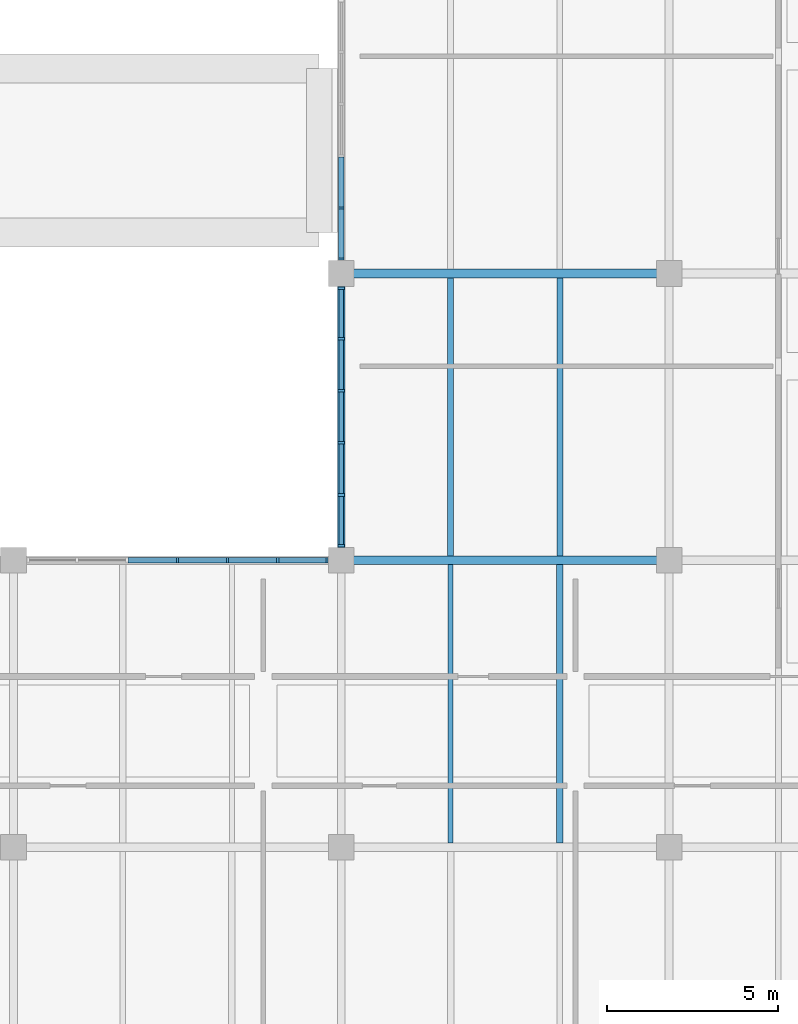
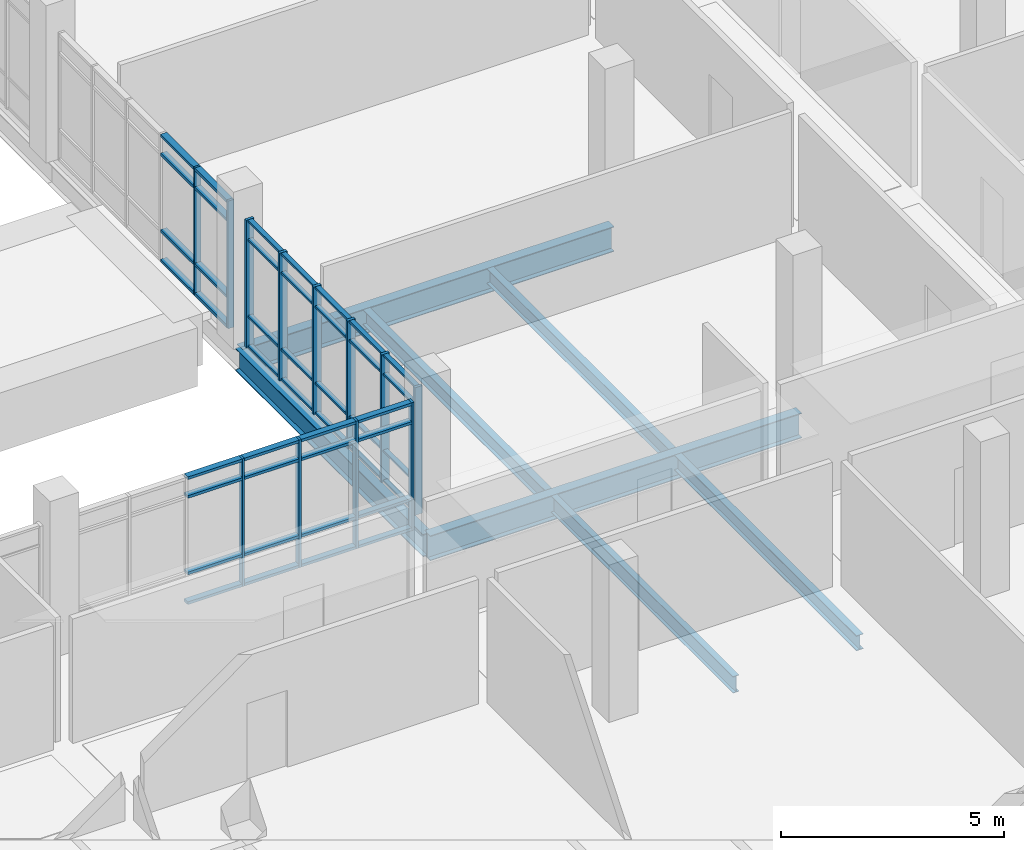
# One storey, part 21 of 86: 56 members, 7 beams, 3 elements without a shape of their own.
"""IFC4 building model written with IfcOpenShell, lengths in metres."""

from ifc_helpers import new_model, si_unit, direction, frame, origin, origin_2d, place, context, subcontext, project, spatial, rectangle, i_section, extrude, material, material_profile, profile_set, type_object, element, aggregate, save


model = new_model("IFC4")

# Units and contexts
model_context = context("Model", 3, precision=1e-05, world=origin(), true_north=direction((0.0, 1.0)))
body_context = subcontext(model_context, "Body", "Model", "MODEL_VIEW")
ifc_project = project(units=[si_unit("LENGTHUNIT", "METRE"), si_unit("AREAUNIT", "SQUARE_METRE"), si_unit("VOLUMEUNIT", "CUBIC_METRE"), si_unit("PLANEANGLEUNIT", "RADIAN"), si_unit("MASSUNIT", "GRAM", prefix="KILO")], contexts=[model_context])

# Site, building, storey
site_placement = place(None, origin())
site = spatial("IfcSite", under=ifc_project, at=site_placement, CompositionType="ELEMENT")
building_placement = place(site_placement, origin())
building = spatial("IfcBuilding", under=site, at=building_placement, Name="Oolite Switchyard Hospital", CompositionType="ELEMENT")
storey_placement = place(building_placement, frame((0.0, 0.0, 13.5)))
storey = spatial("IfcBuildingStorey", under=building, at=storey_placement, Name="L03", CompositionType="ELEMENT", Elevation=13.5)

# Beams
ifc_material_1 = material(Name="Steel ASTM A992 Grade 50", Category="steel")
ifc_material_profile_1 = material_profile(ifc_material_1, i_section(OverallWidth=0.177978515625, OverallDepth=0.403076171875, WebThickness=0.008056640625, FlangeThickness=0.010986328125, at=origin_2d()), Name="W16X36")
ifc_profile_set_1 = profile_set([ifc_material_profile_1], Name="Steel ASTM A992 Grade 50")
beam_type_1 = type_object("IfcBeamType", Name="BM-W16X36", PredefinedType="JOIST", material=ifc_profile_set_1)
beam_1_placement = place(storey_placement, frame((188.800048828125, 25.326904296875, -0.47607421875), z_axis=(0.0, 1.0, 0.0), x_axis=(-1.0, 0.0, 0.0)))
element("IfcBeam", 1, at=beam_1_placement, inside=storey, type_object=beam_type_1, Name="L03 Secondary Steel Joist 2699", PredefinedType="JOIST", context=body_context, shape_type="SweptSolid", body=[
    extrude(i_section(OverallWidth=0.177978515625, OverallDepth=0.403076171875, WebThickness=0.008056640625, FlangeThickness=0.010986328125, at=origin_2d()), origin(), (0.0, 0.0, 1.0), 8.14599609375),
])
ifc_material_profile_2 = material_profile(ifc_material_1, i_section(OverallWidth=0.179931640625, OverallDepth=0.4130859375, WebThickness=0.010009765625, FlangeThickness=0.01611328125, at=origin_2d()), Name="W16X50")
ifc_profile_set_2 = profile_set([ifc_material_profile_2], Name="Steel ASTM A992 Grade 50")
beam_type_2 = type_object("IfcBeamType", Name="BM-W16X50", PredefinedType="JOIST", material=ifc_profile_set_2)
for number, where, z_axis, x_axis, name in (
    (2, (188.800048828125, 16.927001953125, -0.48193359375), (0.0, 1.0, 0.0), (-1.0, 0.0, 0.0), "L03 Secondary Steel Joist 2697"),
    (3, (185.60009765625, 25.326904296875, -0.48193359375), (0.0, 1.0, 0.0), (-1.0, 0.0, 0.0), "L03 Secondary Steel Joist 2698"),
):
    element("IfcBeam", number, at=place(storey_placement, frame(where, z_axis=z_axis, x_axis=x_axis)), inside=storey, type_object=beam_type_2, Name=name, PredefinedType="JOIST", context=body_context, shape_type="SweptSolid", body=[
        extrude(i_section(OverallWidth=0.179931640625, OverallDepth=0.4130859375, WebThickness=0.010009765625, FlangeThickness=0.01611328125, at=origin_2d()), origin(), (0.0, 0.0, 1.0), 8.14599609375),
    ])
ifc_material_profile_3 = material_profile(ifc_material_1, i_section(OverallWidth=0.153076171875, OverallDepth=0.455078125, WebThickness=0.008056640625, FlangeThickness=0.012939453125, at=origin_2d()), Name="W18X40")
ifc_profile_set_3 = profile_set([ifc_material_profile_3], Name="Steel ASTM A992 Grade 50")
beam_type_3 = type_object("IfcBeamType", Name="BM-W18X40", PredefinedType="JOIST", material=ifc_profile_set_3)
beam_2_placement = place(storey_placement, frame((185.60009765625, 16.927001953125, -0.501953125), z_axis=(0.0, 1.0, 0.0), x_axis=(-1.0, 0.0, 0.0)))
element("IfcBeam", 4, at=beam_2_placement, inside=storey, type_object=beam_type_3, Name="L03 Secondary Steel Joist 2696", PredefinedType="JOIST", context=body_context, shape_type="SweptSolid", body=[
    extrude(i_section(OverallWidth=0.153076171875, OverallDepth=0.455078125, WebThickness=0.008056640625, FlangeThickness=0.012939453125, at=origin_2d()), origin(), (0.0, 0.0, 1.0), 8.14599609375),
])
ifc_material_profile_4 = material_profile(ifc_material_1, i_section(OverallWidth=0.22900390625, OverallDepth=0.612060546875, WebThickness=0.011962890625, FlangeThickness=0.02001953125, at=origin_2d()), Name="W24X84")
ifc_profile_set_4 = profile_set([ifc_material_profile_4], Name="Steel ASTM A992 Grade 50")
beam_type_4 = type_object("IfcBeamType", Name="BM-W24X84", PredefinedType="BEAM", material=ifc_profile_set_4)
beam_3_placement = place(storey_placement, frame((182.39990234375, 25.199951171875, -0.5810546875), z_axis=(0.0, 1.0, 0.0), x_axis=(-1.0, 0.0, 0.0)))
element("IfcBeam", 5, at=beam_3_placement, inside=storey, type_object=beam_type_4, Name="L03 Y-Girder 2350", PredefinedType="BEAM", context=body_context, shape_type="SweptSolid", body=[
    extrude(i_section(OverallWidth=0.22900390625, OverallDepth=0.612060546875, WebThickness=0.011962890625, FlangeThickness=0.02001953125, at=origin_2d()), origin(), (0.0, 0.0, 1.0), 8.400146484375),
])
ifc_material_profile_5 = material_profile(ifc_material_1, i_section(OverallWidth=0.25390625, OverallDepth=0.68408203125, WebThickness=0.011962890625, FlangeThickness=0.01904296875, at=origin_2d()), Name="W27X94")
ifc_profile_set_5 = profile_set([ifc_material_profile_5], Name="Steel ASTM A992 Grade 50")
beam_type_5 = type_object("IfcBeamType", Name="BM-W27X94", PredefinedType="BEAM", material=ifc_profile_set_5)
for number, where, z_axis, x_axis, name in (
    (6, (182.39990234375, 25.199951171875, -0.616943359375), (1.0, 0.0, 0.0), (0.0, 1.0, 0.0), "L03 X-Girder 1946"),
    (7, (182.39990234375, 33.60009765625, -0.616943359375), (1.0, 0.0, 0.0), (0.0, 1.0, 0.0), "L03 X-Girder 1956"),
):
    element("IfcBeam", number, at=place(storey_placement, frame(where, z_axis=z_axis, x_axis=x_axis)), inside=storey, type_object=beam_type_5, Name=name, PredefinedType="BEAM", context=body_context, shape_type="SweptSolid", body=[
        extrude(i_section(OverallWidth=0.25390625, OverallDepth=0.68408203125, WebThickness=0.011962890625, FlangeThickness=0.01904296875, at=origin_2d()), origin(), (0.0, 0.0, 1.0), 9.60009765625),
    ])

# Curtain wall, members
ifc_material_2 = material(Name="Thermally broken aluminum frame with laminated impact glazing", Category="aluminium")
curtain_wall_type_1 = type_object("IfcCurtainWallType", Name="CW-UNIT-96X43", PredefinedType="USERDEFINED", material=ifc_material_2)
curtain_wall_1_placement = place(storey_placement, origin())
curtain_wall_1 = element("IfcCurtainWall", 8, at=curtain_wall_1_placement, inside=storey, type_object=curtain_wall_type_1, Name="L03 Unitised Curtain Wall 333", ObjectType="UNITISED", PredefinedType="USERDEFINED")
ifc_material_3 = material(Name="Aluminium 6063-T6", Category="aluminium")
ifc_material_profile_6 = material_profile(ifc_material_3, rectangle(XDim=0.159912109375, YDim=0.06005859375, at=origin_2d()), Name="CWM60X160")
ifc_profile_set_6 = profile_set([ifc_material_profile_6], Name="Aluminium 6063-T6")
member_type_1 = type_object("IfcMemberType", Name="CW-MUL-180", PredefinedType="MULLION", material=ifc_profile_set_6)
member_1_placement = place(storey_placement, frame((177.60009765625, 25.199951171875, 0.0), z_axis=(0.0, 0.0, 1.0), x_axis=(0.0, 1.0, 0.0)))
member_1 = element("IfcMember", 9, at=member_1_placement, type_object=member_type_1, Name="CW-04 mullion 4", PredefinedType="MULLION", context=body_context, shape_type="SweptSolid", body=[
    extrude(rectangle(XDim=0.159912109375, YDim=0.06005859375, at=origin_2d()), origin(), (0.0, 0.0, 1.0), 3.489990234375),
])
member_2_placement = place(storey_placement, frame((179.070068359375, 25.199951171875, 0.0), z_axis=(0.0, 0.0, 1.0), x_axis=(0.0, 1.0, 0.0)))
member_2 = element("IfcMember", 10, at=member_2_placement, type_object=member_type_1, Name="CW-04 mullion 5", PredefinedType="MULLION", context=body_context, shape_type="SweptSolid", body=[
    extrude(rectangle(XDim=0.159912109375, YDim=0.06005859375, at=origin_2d()), origin(), (0.0, 0.0, 1.0), 3.489990234375),
])
member_3_placement = place(storey_placement, frame((180.5400390625, 25.199951171875, 0.0), z_axis=(0.0, 0.0, 1.0), x_axis=(0.0, 1.0, 0.0)))
member_3 = element("IfcMember", 11, at=member_3_placement, type_object=member_type_1, Name="CW-04 mullion 6", PredefinedType="MULLION", context=body_context, shape_type="SweptSolid", body=[
    extrude(rectangle(XDim=0.159912109375, YDim=0.06005859375, at=origin_2d()), origin(), (0.0, 0.0, 1.0), 3.489990234375),
])
member_4_placement = place(storey_placement, frame((181.97998046875, 25.199951171875, 0.0), z_axis=(0.0, 0.0, 1.0), x_axis=(0.0, 1.0, 0.0)))
member_4 = element("IfcMember", 12, at=member_4_placement, type_object=member_type_1, Name="CW-04 mullion 7", PredefinedType="MULLION", context=body_context, shape_type="SweptSolid", body=[
    extrude(rectangle(XDim=0.159912109375, YDim=0.06005859375, at=origin_2d()), origin(), (0.0, 0.0, 1.0), 3.489990234375),
])

curtain_wall_type_2 = type_object("IfcCurtainWallType", Name="CW-UNIT-84X43", PredefinedType="USERDEFINED", material=ifc_material_2)
curtain_wall_2_placement = place(storey_placement, origin())
curtain_wall_2 = element("IfcCurtainWall", 13, at=curtain_wall_2_placement, inside=storey, type_object=curtain_wall_type_2, Name="L03 Unitised Curtain Wall 345", ObjectType="UNITISED", PredefinedType="USERDEFINED")
member_5_placement = place(storey_placement, frame((182.39990234375, 34.02001953125, 0.0), z_axis=(0.0, 0.0, 1.0), x_axis=(-1.0, 0.0, 0.0)))
member_5 = element("IfcMember", 14, at=member_5_placement, type_object=member_type_1, Name="CW-09 mullion 1", PredefinedType="MULLION", context=body_context, shape_type="SweptSolid", body=[
    extrude(rectangle(XDim=0.159912109375, YDim=0.06005859375, at=origin_2d()), origin(), (0.0, 0.0, 1.0), 3.489990234375),
])
member_6_placement = place(storey_placement, frame((182.39990234375, 35.513916015625, 0.0), z_axis=(0.0, 0.0, 1.0), x_axis=(-1.0, 0.0, 0.0)))
member_6 = element("IfcMember", 15, at=member_6_placement, type_object=member_type_1, Name="CW-09 mullion 2", PredefinedType="MULLION", context=body_context, shape_type="SweptSolid", body=[
    extrude(rectangle(XDim=0.159912109375, YDim=0.06005859375, at=origin_2d()), origin(), (0.0, 0.0, 1.0), 3.489990234375),
])

curtain_wall_3_placement = place(storey_placement, origin())
curtain_wall_3 = element("IfcCurtainWall", 16, at=curtain_wall_3_placement, inside=storey, type_object=curtain_wall_type_2, Name="L03 Unitised Curtain Wall 344", ObjectType="UNITISED", PredefinedType="USERDEFINED")
ifc_material_profile_7 = material_profile(ifc_material_3, rectangle(XDim=0.199951171875, YDim=0.074951171875, at=origin_2d()), Name="CWM75X200")
ifc_profile_set_7 = profile_set([ifc_material_profile_7], Name="Aluminium 6063-T6")
member_type_2 = type_object("IfcMemberType", Name="CW-MUL-260", PredefinedType="MULLION", material=ifc_profile_set_7)
member_7_placement = place(storey_placement, frame((182.39990234375, 25.62744140625, 0.0), z_axis=(0.0, 0.0, 1.0), x_axis=(-1.0, 0.0, 0.0)))
member_7 = element("IfcMember", 17, at=member_7_placement, type_object=member_type_2, Name="CW-09 mullion 1", PredefinedType="MULLION", context=body_context, shape_type="SweptSolid", body=[
    extrude(rectangle(XDim=0.199951171875, YDim=0.074951171875, at=origin_2d()), origin(), (0.0, 0.0, 1.0), 3.489990234375),
])
member_8_placement = place(storey_placement, frame((182.39990234375, 27.114013671875, 0.0), z_axis=(0.0, 0.0, 1.0), x_axis=(-1.0, 0.0, 0.0)))
member_8 = element("IfcMember", 18, at=member_8_placement, type_object=member_type_2, Name="CW-09 mullion 2", PredefinedType="MULLION", context=body_context, shape_type="SweptSolid", body=[
    extrude(rectangle(XDim=0.199951171875, YDim=0.074951171875, at=origin_2d()), origin(), (0.0, 0.0, 1.0), 3.489990234375),
])
member_9_placement = place(storey_placement, frame((182.39990234375, 28.637939453125, 0.0), z_axis=(0.0, 0.0, 1.0), x_axis=(-1.0, 0.0, 0.0)))
member_9 = element("IfcMember", 19, at=member_9_placement, type_object=member_type_2, Name="CW-09 mullion 3", PredefinedType="MULLION", context=body_context, shape_type="SweptSolid", body=[
    extrude(rectangle(XDim=0.199951171875, YDim=0.074951171875, at=origin_2d()), origin(), (0.0, 0.0, 1.0), 3.489990234375),
])
member_10_placement = place(storey_placement, frame((182.39990234375, 30.162109375, 0.0), z_axis=(0.0, 0.0, 1.0), x_axis=(-1.0, 0.0, 0.0)))
member_10 = element("IfcMember", 20, at=member_10_placement, type_object=member_type_2, Name="CW-09 mullion 4", PredefinedType="MULLION", context=body_context, shape_type="SweptSolid", body=[
    extrude(rectangle(XDim=0.199951171875, YDim=0.074951171875, at=origin_2d()), origin(), (0.0, 0.0, 1.0), 3.489990234375),
])
member_11_placement = place(storey_placement, frame((182.39990234375, 31.68603515625, 0.0), z_axis=(0.0, 0.0, 1.0), x_axis=(-1.0, 0.0, 0.0)))
member_11 = element("IfcMember", 21, at=member_11_placement, type_object=member_type_2, Name="CW-09 mullion 5", PredefinedType="MULLION", context=body_context, shape_type="SweptSolid", body=[
    extrude(rectangle(XDim=0.199951171875, YDim=0.074951171875, at=origin_2d()), origin(), (0.0, 0.0, 1.0), 3.489990234375),
])
member_12_placement = place(storey_placement, frame((182.39990234375, 33.172607421875, 0.0), z_axis=(0.0, 0.0, 1.0), x_axis=(-1.0, 0.0, 0.0)))
member_12 = element("IfcMember", 22, at=member_12_placement, type_object=member_type_2, Name="CW-09 mullion 6", PredefinedType="MULLION", context=body_context, shape_type="SweptSolid", body=[
    extrude(rectangle(XDim=0.199951171875, YDim=0.074951171875, at=origin_2d()), origin(), (0.0, 0.0, 1.0), 3.489990234375),
])
ifc_material_profile_8 = material_profile(ifc_material_3, rectangle(XDim=0.1201171875, YDim=0.06005859375, at=origin_2d()), Name="CWT60X120")
ifc_profile_set_8 = profile_set([ifc_material_profile_8], Name="Aluminium 6063-T6")
member_type_3 = type_object("IfcMemberType", Name="CW-TRN-150", PredefinedType="USERDEFINED", material=ifc_profile_set_8)
member_13_placement = place(storey_placement, frame((182.39990234375, 25.6650390625, 0.030029296875), z_axis=(0.0, 1.0, 0.0), x_axis=(-1.0, 0.0, 0.0)))
member_13 = element("IfcMember", 23, at=member_13_placement, type_object=member_type_3, Name="CW-09 transom 1.1", ObjectType="TRANSOM", PredefinedType="USERDEFINED", context=body_context, shape_type="SweptSolid", body=[
    extrude(rectangle(XDim=0.1201171875, YDim=0.06005859375, at=origin_2d()), origin(), (0.0, 0.0, 1.0), 1.411376953125),
])
member_14_placement = place(storey_placement, frame((182.39990234375, 25.6650390625, 0.85009765625), z_axis=(0.0, 1.0, 0.0), x_axis=(-1.0, 0.0, 0.0)))
member_14 = element("IfcMember", 24, at=member_14_placement, type_object=member_type_3, Name="CW-09 transom 1.2", ObjectType="TRANSOM", PredefinedType="USERDEFINED", context=body_context, shape_type="SweptSolid", body=[
    extrude(rectangle(XDim=0.1201171875, YDim=0.06005859375, at=origin_2d()), origin(), (0.0, 0.0, 1.0), 1.411376953125),
])
member_15_placement = place(storey_placement, frame((182.39990234375, 25.6650390625, 2.93994140625), z_axis=(0.0, 1.0, 0.0), x_axis=(-1.0, 0.0, 0.0)))
member_15 = element("IfcMember", 25, at=member_15_placement, type_object=member_type_3, Name="CW-09 transom 1.3", ObjectType="TRANSOM", PredefinedType="USERDEFINED", context=body_context, shape_type="SweptSolid", body=[
    extrude(rectangle(XDim=0.1201171875, YDim=0.06005859375, at=origin_2d()), origin(), (0.0, 0.0, 1.0), 1.411376953125),
])
member_16_placement = place(storey_placement, frame((182.39990234375, 25.6650390625, 3.4599609375), z_axis=(0.0, 1.0, 0.0), x_axis=(-1.0, 0.0, 0.0)))
member_16 = element("IfcMember", 26, at=member_16_placement, type_object=member_type_3, Name="CW-09 transom 1.4", ObjectType="TRANSOM", PredefinedType="USERDEFINED", context=body_context, shape_type="SweptSolid", body=[
    extrude(rectangle(XDim=0.1201171875, YDim=0.06005859375, at=origin_2d()), origin(), (0.0, 0.0, 1.0), 1.411376953125),
])
member_17_placement = place(storey_placement, frame((182.39990234375, 27.151611328125, 0.030029296875), z_axis=(0.0, 1.0, 0.0), x_axis=(-1.0, 0.0, 0.0)))
member_17 = element("IfcMember", 27, at=member_17_placement, type_object=member_type_3, Name="CW-09 transom 2.1", ObjectType="TRANSOM", PredefinedType="USERDEFINED", context=body_context, shape_type="SweptSolid", body=[
    extrude(rectangle(XDim=0.1201171875, YDim=0.06005859375, at=origin_2d()), origin(), (0.0, 0.0, 1.0), 1.448974609375),
])
member_18_placement = place(storey_placement, frame((182.39990234375, 27.151611328125, 0.85009765625), z_axis=(0.0, 1.0, 0.0), x_axis=(-1.0, 0.0, 0.0)))
member_18 = element("IfcMember", 28, at=member_18_placement, type_object=member_type_3, Name="CW-09 transom 2.2", ObjectType="TRANSOM", PredefinedType="USERDEFINED", context=body_context, shape_type="SweptSolid", body=[
    extrude(rectangle(XDim=0.1201171875, YDim=0.06005859375, at=origin_2d()), origin(), (0.0, 0.0, 1.0), 1.448974609375),
])
member_19_placement = place(storey_placement, frame((182.39990234375, 27.151611328125, 2.93994140625), z_axis=(0.0, 1.0, 0.0), x_axis=(-1.0, 0.0, 0.0)))
member_19 = element("IfcMember", 29, at=member_19_placement, type_object=member_type_3, Name="CW-09 transom 2.3", ObjectType="TRANSOM", PredefinedType="USERDEFINED", context=body_context, shape_type="SweptSolid", body=[
    extrude(rectangle(XDim=0.1201171875, YDim=0.06005859375, at=origin_2d()), origin(), (0.0, 0.0, 1.0), 1.448974609375),
])
member_20_placement = place(storey_placement, frame((182.39990234375, 27.151611328125, 3.4599609375), z_axis=(0.0, 1.0, 0.0), x_axis=(-1.0, 0.0, 0.0)))
member_20 = element("IfcMember", 30, at=member_20_placement, type_object=member_type_3, Name="CW-09 transom 2.4", ObjectType="TRANSOM", PredefinedType="USERDEFINED", context=body_context, shape_type="SweptSolid", body=[
    extrude(rectangle(XDim=0.1201171875, YDim=0.06005859375, at=origin_2d()), origin(), (0.0, 0.0, 1.0), 1.448974609375),
])
member_21_placement = place(storey_placement, frame((182.39990234375, 28.675537109375, 0.030029296875), z_axis=(0.0, 1.0, 0.0), x_axis=(-1.0, 0.0, 0.0)))
member_21 = element("IfcMember", 31, at=member_21_placement, type_object=member_type_3, Name="CW-09 transom 3.1", ObjectType="TRANSOM", PredefinedType="USERDEFINED", context=body_context, shape_type="SweptSolid", body=[
    extrude(rectangle(XDim=0.1201171875, YDim=0.06005859375, at=origin_2d()), origin(), (0.0, 0.0, 1.0), 1.448974609375),
])
member_22_placement = place(storey_placement, frame((182.39990234375, 28.675537109375, 0.85009765625), z_axis=(0.0, 1.0, 0.0), x_axis=(-1.0, 0.0, 0.0)))
member_22 = element("IfcMember", 32, at=member_22_placement, type_object=member_type_3, Name="CW-09 transom 3.2", ObjectType="TRANSOM", PredefinedType="USERDEFINED", context=body_context, shape_type="SweptSolid", body=[
    extrude(rectangle(XDim=0.1201171875, YDim=0.06005859375, at=origin_2d()), origin(), (0.0, 0.0, 1.0), 1.448974609375),
])
member_23_placement = place(storey_placement, frame((182.39990234375, 28.675537109375, 2.93994140625), z_axis=(0.0, 1.0, 0.0), x_axis=(-1.0, 0.0, 0.0)))
member_23 = element("IfcMember", 33, at=member_23_placement, type_object=member_type_3, Name="CW-09 transom 3.3", ObjectType="TRANSOM", PredefinedType="USERDEFINED", context=body_context, shape_type="SweptSolid", body=[
    extrude(rectangle(XDim=0.1201171875, YDim=0.06005859375, at=origin_2d()), origin(), (0.0, 0.0, 1.0), 1.448974609375),
])
member_24_placement = place(storey_placement, frame((182.39990234375, 28.675537109375, 3.4599609375), z_axis=(0.0, 1.0, 0.0), x_axis=(-1.0, 0.0, 0.0)))
member_24 = element("IfcMember", 34, at=member_24_placement, type_object=member_type_3, Name="CW-09 transom 3.4", ObjectType="TRANSOM", PredefinedType="USERDEFINED", context=body_context, shape_type="SweptSolid", body=[
    extrude(rectangle(XDim=0.1201171875, YDim=0.06005859375, at=origin_2d()), origin(), (0.0, 0.0, 1.0), 1.448974609375),
])
member_25_placement = place(storey_placement, frame((182.39990234375, 30.199462890625, 0.030029296875), z_axis=(0.0, 1.0, 0.0), x_axis=(-1.0, 0.0, 0.0)))
member_25 = element("IfcMember", 35, at=member_25_placement, type_object=member_type_3, Name="CW-09 transom 4.1", ObjectType="TRANSOM", PredefinedType="USERDEFINED", context=body_context, shape_type="SweptSolid", body=[
    extrude(rectangle(XDim=0.1201171875, YDim=0.06005859375, at=origin_2d()), origin(), (0.0, 0.0, 1.0), 1.448974609375),
])
member_26_placement = place(storey_placement, frame((182.39990234375, 30.199462890625, 0.85009765625), z_axis=(0.0, 1.0, 0.0), x_axis=(-1.0, 0.0, 0.0)))
member_26 = element("IfcMember", 36, at=member_26_placement, type_object=member_type_3, Name="CW-09 transom 4.2", ObjectType="TRANSOM", PredefinedType="USERDEFINED", context=body_context, shape_type="SweptSolid", body=[
    extrude(rectangle(XDim=0.1201171875, YDim=0.06005859375, at=origin_2d()), origin(), (0.0, 0.0, 1.0), 1.448974609375),
])
member_27_placement = place(storey_placement, frame((182.39990234375, 30.199462890625, 2.93994140625), z_axis=(0.0, 1.0, 0.0), x_axis=(-1.0, 0.0, 0.0)))
member_27 = element("IfcMember", 37, at=member_27_placement, type_object=member_type_3, Name="CW-09 transom 4.3", ObjectType="TRANSOM", PredefinedType="USERDEFINED", context=body_context, shape_type="SweptSolid", body=[
    extrude(rectangle(XDim=0.1201171875, YDim=0.06005859375, at=origin_2d()), origin(), (0.0, 0.0, 1.0), 1.448974609375),
])
member_28_placement = place(storey_placement, frame((182.39990234375, 30.199462890625, 3.4599609375), z_axis=(0.0, 1.0, 0.0), x_axis=(-1.0, 0.0, 0.0)))
member_28 = element("IfcMember", 38, at=member_28_placement, type_object=member_type_3, Name="CW-09 transom 4.4", ObjectType="TRANSOM", PredefinedType="USERDEFINED", context=body_context, shape_type="SweptSolid", body=[
    extrude(rectangle(XDim=0.1201171875, YDim=0.06005859375, at=origin_2d()), origin(), (0.0, 0.0, 1.0), 1.448974609375),
])
member_29_placement = place(storey_placement, frame((182.39990234375, 31.723388671875, 0.030029296875), z_axis=(0.0, 1.0, 0.0), x_axis=(-1.0, 0.0, 0.0)))
member_29 = element("IfcMember", 39, at=member_29_placement, type_object=member_type_3, Name="CW-09 transom 5.1", ObjectType="TRANSOM", PredefinedType="USERDEFINED", context=body_context, shape_type="SweptSolid", body=[
    extrude(rectangle(XDim=0.1201171875, YDim=0.06005859375, at=origin_2d()), origin(), (0.0, 0.0, 1.0), 1.41162109375),
])
member_30_placement = place(storey_placement, frame((182.39990234375, 31.723388671875, 0.85009765625), z_axis=(0.0, 1.0, 0.0), x_axis=(-1.0, 0.0, 0.0)))
member_30 = element("IfcMember", 40, at=member_30_placement, type_object=member_type_3, Name="CW-09 transom 5.2", ObjectType="TRANSOM", PredefinedType="USERDEFINED", context=body_context, shape_type="SweptSolid", body=[
    extrude(rectangle(XDim=0.1201171875, YDim=0.06005859375, at=origin_2d()), origin(), (0.0, 0.0, 1.0), 1.41162109375),
])
member_31_placement = place(storey_placement, frame((182.39990234375, 31.723388671875, 2.93994140625), z_axis=(0.0, 1.0, 0.0), x_axis=(-1.0, 0.0, 0.0)))
member_31 = element("IfcMember", 41, at=member_31_placement, type_object=member_type_3, Name="CW-09 transom 5.3", ObjectType="TRANSOM", PredefinedType="USERDEFINED", context=body_context, shape_type="SweptSolid", body=[
    extrude(rectangle(XDim=0.1201171875, YDim=0.06005859375, at=origin_2d()), origin(), (0.0, 0.0, 1.0), 1.41162109375),
])
member_32_placement = place(storey_placement, frame((182.39990234375, 31.723388671875, 3.4599609375), z_axis=(0.0, 1.0, 0.0), x_axis=(-1.0, 0.0, 0.0)))
member_32 = element("IfcMember", 42, at=member_32_placement, type_object=member_type_3, Name="CW-09 transom 5.4", ObjectType="TRANSOM", PredefinedType="USERDEFINED", context=body_context, shape_type="SweptSolid", body=[
    extrude(rectangle(XDim=0.1201171875, YDim=0.06005859375, at=origin_2d()), origin(), (0.0, 0.0, 1.0), 1.41162109375),
])
aggregate(curtain_wall_3, [member_7, member_8, member_9, member_10, member_11, member_12, member_13, member_14, member_15, member_16, member_17, member_18, member_19, member_20, member_21, member_22, member_23, member_24, member_25, member_26, member_27, member_28, member_29, member_30, member_31, member_32])

# Member
ifc_material_profile_9 = material_profile(ifc_material_3, rectangle(XDim=0.159912109375, YDim=0.074951171875, at=origin_2d()), Name="CWT75X160")
ifc_profile_set_9 = profile_set([ifc_material_profile_9], Name="Aluminium 6063-T6")
member_type_4 = type_object("IfcMemberType", Name="CW-TRN-180", PredefinedType="USERDEFINED", material=ifc_profile_set_9)
member_33_placement = place(storey_placement, frame((176.159912109375, 25.199951171875, 0.03759765625), z_axis=(1.0, 0.0, 0.0), x_axis=(0.0, 1.0, 0.0)))
member_33 = element("IfcMember", 43, at=member_33_placement, type_object=member_type_4, Name="CW-04 transom 3.1", ObjectType="TRANSOM", PredefinedType="USERDEFINED", context=body_context, shape_type="SweptSolid", body=[
    extrude(rectangle(XDim=0.159912109375, YDim=0.074951171875, at=origin_2d()), origin(), (0.0, 0.0, 1.0), 1.41015625),
])

member_34_placement = place(storey_placement, frame((176.159912109375, 25.199951171875, 0.85009765625), z_axis=(1.0, 0.0, 0.0), x_axis=(0.0, 1.0, 0.0)))
member_34 = element("IfcMember", 44, at=member_34_placement, type_object=member_type_4, Name="CW-04 transom 3.2", ObjectType="TRANSOM", PredefinedType="USERDEFINED", context=body_context, shape_type="SweptSolid", body=[
    extrude(rectangle(XDim=0.159912109375, YDim=0.074951171875, at=origin_2d()), origin(), (0.0, 0.0, 1.0), 1.41015625),
])

member_35_placement = place(storey_placement, frame((176.159912109375, 25.199951171875, 2.93994140625), z_axis=(1.0, 0.0, 0.0), x_axis=(0.0, 1.0, 0.0)))
member_35 = element("IfcMember", 45, at=member_35_placement, type_object=member_type_4, Name="CW-04 transom 3.3", ObjectType="TRANSOM", PredefinedType="USERDEFINED", context=body_context, shape_type="SweptSolid", body=[
    extrude(rectangle(XDim=0.159912109375, YDim=0.074951171875, at=origin_2d()), origin(), (0.0, 0.0, 1.0), 1.41015625),
])

member_36_placement = place(storey_placement, frame((176.159912109375, 25.199951171875, 3.452392578125), z_axis=(1.0, 0.0, 0.0), x_axis=(0.0, 1.0, 0.0)))
member_36 = element("IfcMember", 46, at=member_36_placement, type_object=member_type_4, Name="CW-04 transom 3.4", ObjectType="TRANSOM", PredefinedType="USERDEFINED", context=body_context, shape_type="SweptSolid", body=[
    extrude(rectangle(XDim=0.159912109375, YDim=0.074951171875, at=origin_2d()), origin(), (0.0, 0.0, 1.0), 1.41015625),
])

member_37_placement = place(storey_placement, frame((177.6298828125, 25.199951171875, 0.03759765625), z_axis=(1.0, 0.0, 0.0), x_axis=(0.0, 1.0, 0.0)))
member_37 = element("IfcMember", 47, at=member_37_placement, type_object=member_type_4, Name="CW-04 transom 4.1", ObjectType="TRANSOM", PredefinedType="USERDEFINED", context=body_context, shape_type="SweptSolid", body=[
    extrude(rectangle(XDim=0.159912109375, YDim=0.074951171875, at=origin_2d()), origin(), (0.0, 0.0, 1.0), 1.41015625),
])

member_38_placement = place(storey_placement, frame((177.6298828125, 25.199951171875, 0.85009765625), z_axis=(1.0, 0.0, 0.0), x_axis=(0.0, 1.0, 0.0)))
member_38 = element("IfcMember", 48, at=member_38_placement, type_object=member_type_4, Name="CW-04 transom 4.2", ObjectType="TRANSOM", PredefinedType="USERDEFINED", context=body_context, shape_type="SweptSolid", body=[
    extrude(rectangle(XDim=0.159912109375, YDim=0.074951171875, at=origin_2d()), origin(), (0.0, 0.0, 1.0), 1.41015625),
])

member_39_placement = place(storey_placement, frame((177.6298828125, 25.199951171875, 2.93994140625), z_axis=(1.0, 0.0, 0.0), x_axis=(0.0, 1.0, 0.0)))
member_39 = element("IfcMember", 49, at=member_39_placement, type_object=member_type_4, Name="CW-04 transom 4.3", ObjectType="TRANSOM", PredefinedType="USERDEFINED", context=body_context, shape_type="SweptSolid", body=[
    extrude(rectangle(XDim=0.159912109375, YDim=0.074951171875, at=origin_2d()), origin(), (0.0, 0.0, 1.0), 1.41015625),
])

member_40_placement = place(storey_placement, frame((177.6298828125, 25.199951171875, 3.452392578125), z_axis=(1.0, 0.0, 0.0), x_axis=(0.0, 1.0, 0.0)))
member_40 = element("IfcMember", 50, at=member_40_placement, type_object=member_type_4, Name="CW-04 transom 4.4", ObjectType="TRANSOM", PredefinedType="USERDEFINED", context=body_context, shape_type="SweptSolid", body=[
    extrude(rectangle(XDim=0.159912109375, YDim=0.074951171875, at=origin_2d()), origin(), (0.0, 0.0, 1.0), 1.41015625),
])

member_41_placement = place(storey_placement, frame((179.10009765625, 25.199951171875, 0.03759765625), z_axis=(1.0, 0.0, 0.0), x_axis=(0.0, 1.0, 0.0)))
member_41 = element("IfcMember", 51, at=member_41_placement, type_object=member_type_4, Name="CW-04 transom 5.1", ObjectType="TRANSOM", PredefinedType="USERDEFINED", context=body_context, shape_type="SweptSolid", body=[
    extrude(rectangle(XDim=0.159912109375, YDim=0.074951171875, at=origin_2d()), origin(), (0.0, 0.0, 1.0), 1.409912109375),
])

member_42_placement = place(storey_placement, frame((179.10009765625, 25.199951171875, 0.85009765625), z_axis=(1.0, 0.0, 0.0), x_axis=(0.0, 1.0, 0.0)))
member_42 = element("IfcMember", 52, at=member_42_placement, type_object=member_type_4, Name="CW-04 transom 5.2", ObjectType="TRANSOM", PredefinedType="USERDEFINED", context=body_context, shape_type="SweptSolid", body=[
    extrude(rectangle(XDim=0.159912109375, YDim=0.074951171875, at=origin_2d()), origin(), (0.0, 0.0, 1.0), 1.409912109375),
])

member_43_placement = place(storey_placement, frame((179.10009765625, 25.199951171875, 2.93994140625), z_axis=(1.0, 0.0, 0.0), x_axis=(0.0, 1.0, 0.0)))
member_43 = element("IfcMember", 53, at=member_43_placement, type_object=member_type_4, Name="CW-04 transom 5.3", ObjectType="TRANSOM", PredefinedType="USERDEFINED", context=body_context, shape_type="SweptSolid", body=[
    extrude(rectangle(XDim=0.159912109375, YDim=0.074951171875, at=origin_2d()), origin(), (0.0, 0.0, 1.0), 1.409912109375),
])

member_44_placement = place(storey_placement, frame((179.10009765625, 25.199951171875, 3.452392578125), z_axis=(1.0, 0.0, 0.0), x_axis=(0.0, 1.0, 0.0)))
member_44 = element("IfcMember", 54, at=member_44_placement, type_object=member_type_4, Name="CW-04 transom 5.4", ObjectType="TRANSOM", PredefinedType="USERDEFINED", context=body_context, shape_type="SweptSolid", body=[
    extrude(rectangle(XDim=0.159912109375, YDim=0.074951171875, at=origin_2d()), origin(), (0.0, 0.0, 1.0), 1.409912109375),
])

member_45_placement = place(storey_placement, frame((180.570068359375, 25.199951171875, 0.03759765625), z_axis=(1.0, 0.0, 0.0), x_axis=(0.0, 1.0, 0.0)))
member_45 = element("IfcMember", 55, at=member_45_placement, type_object=member_type_4, Name="CW-04 transom 6.1", ObjectType="TRANSOM", PredefinedType="USERDEFINED", context=body_context, shape_type="SweptSolid", body=[
    extrude(rectangle(XDim=0.159912109375, YDim=0.074951171875, at=origin_2d()), origin(), (0.0, 0.0, 1.0), 1.3798828125),
])

member_46_placement = place(storey_placement, frame((180.570068359375, 25.199951171875, 0.85009765625), z_axis=(1.0, 0.0, 0.0), x_axis=(0.0, 1.0, 0.0)))
member_46 = element("IfcMember", 56, at=member_46_placement, type_object=member_type_4, Name="CW-04 transom 6.2", ObjectType="TRANSOM", PredefinedType="USERDEFINED", context=body_context, shape_type="SweptSolid", body=[
    extrude(rectangle(XDim=0.159912109375, YDim=0.074951171875, at=origin_2d()), origin(), (0.0, 0.0, 1.0), 1.3798828125),
])

member_47_placement = place(storey_placement, frame((180.570068359375, 25.199951171875, 2.93994140625), z_axis=(1.0, 0.0, 0.0), x_axis=(0.0, 1.0, 0.0)))
member_47 = element("IfcMember", 57, at=member_47_placement, type_object=member_type_4, Name="CW-04 transom 6.3", ObjectType="TRANSOM", PredefinedType="USERDEFINED", context=body_context, shape_type="SweptSolid", body=[
    extrude(rectangle(XDim=0.159912109375, YDim=0.074951171875, at=origin_2d()), origin(), (0.0, 0.0, 1.0), 1.3798828125),
])

member_48_placement = place(storey_placement, frame((180.570068359375, 25.199951171875, 3.452392578125), z_axis=(1.0, 0.0, 0.0), x_axis=(0.0, 1.0, 0.0)))
member_48 = element("IfcMember", 58, at=member_48_placement, type_object=member_type_4, Name="CW-04 transom 6.4", ObjectType="TRANSOM", PredefinedType="USERDEFINED", context=body_context, shape_type="SweptSolid", body=[
    extrude(rectangle(XDim=0.159912109375, YDim=0.074951171875, at=origin_2d()), origin(), (0.0, 0.0, 1.0), 1.3798828125),
])

aggregate(curtain_wall_1, [member_1, member_2, member_3, member_4, member_33, member_34, member_35, member_36, member_37, member_38, member_39, member_40, member_41, member_42, member_43, member_44, member_45, member_46, member_47, member_48])

member_49_placement = place(storey_placement, frame((182.39990234375, 34.050048828125, 0.03759765625), z_axis=(0.0, 1.0, 0.0), x_axis=(-1.0, 0.0, 0.0)))
member_49 = element("IfcMember", 59, at=member_49_placement, type_object=member_type_4, Name="CW-09 transom 1.1", ObjectType="TRANSOM", PredefinedType="USERDEFINED", context=body_context, shape_type="SweptSolid", body=[
    extrude(rectangle(XDim=0.159912109375, YDim=0.074951171875, at=origin_2d()), origin(), (0.0, 0.0, 1.0), 1.433837890625),
])

member_50_placement = place(storey_placement, frame((182.39990234375, 34.050048828125, 0.85009765625), z_axis=(0.0, 1.0, 0.0), x_axis=(-1.0, 0.0, 0.0)))
member_50 = element("IfcMember", 60, at=member_50_placement, type_object=member_type_4, Name="CW-09 transom 1.2", ObjectType="TRANSOM", PredefinedType="USERDEFINED", context=body_context, shape_type="SweptSolid", body=[
    extrude(rectangle(XDim=0.159912109375, YDim=0.074951171875, at=origin_2d()), origin(), (0.0, 0.0, 1.0), 1.433837890625),
])

member_51_placement = place(storey_placement, frame((182.39990234375, 34.050048828125, 2.93994140625), z_axis=(0.0, 1.0, 0.0), x_axis=(-1.0, 0.0, 0.0)))
member_51 = element("IfcMember", 61, at=member_51_placement, type_object=member_type_4, Name="CW-09 transom 1.3", ObjectType="TRANSOM", PredefinedType="USERDEFINED", context=body_context, shape_type="SweptSolid", body=[
    extrude(rectangle(XDim=0.159912109375, YDim=0.074951171875, at=origin_2d()), origin(), (0.0, 0.0, 1.0), 1.433837890625),
])

member_52_placement = place(storey_placement, frame((182.39990234375, 34.050048828125, 3.452392578125), z_axis=(0.0, 1.0, 0.0), x_axis=(-1.0, 0.0, 0.0)))
member_52 = element("IfcMember", 62, at=member_52_placement, type_object=member_type_4, Name="CW-09 transom 1.4", ObjectType="TRANSOM", PredefinedType="USERDEFINED", context=body_context, shape_type="SweptSolid", body=[
    extrude(rectangle(XDim=0.159912109375, YDim=0.074951171875, at=origin_2d()), origin(), (0.0, 0.0, 1.0), 1.433837890625),
])

member_53_placement = place(storey_placement, frame((182.39990234375, 35.5439453125, 0.03759765625), z_axis=(0.0, 1.0, 0.0), x_axis=(-1.0, 0.0, 0.0)))
member_53 = element("IfcMember", 63, at=member_53_placement, type_object=member_type_4, Name="CW-09 transom 2.1", ObjectType="TRANSOM", PredefinedType="USERDEFINED", context=body_context, shape_type="SweptSolid", body=[
    extrude(rectangle(XDim=0.159912109375, YDim=0.074951171875, at=origin_2d()), origin(), (0.0, 0.0, 1.0), 1.464111328125),
])

member_54_placement = place(storey_placement, frame((182.39990234375, 35.5439453125, 0.85009765625), z_axis=(0.0, 1.0, 0.0), x_axis=(-1.0, 0.0, 0.0)))
member_54 = element("IfcMember", 64, at=member_54_placement, type_object=member_type_4, Name="CW-09 transom 2.2", ObjectType="TRANSOM", PredefinedType="USERDEFINED", context=body_context, shape_type="SweptSolid", body=[
    extrude(rectangle(XDim=0.159912109375, YDim=0.074951171875, at=origin_2d()), origin(), (0.0, 0.0, 1.0), 1.464111328125),
])

member_55_placement = place(storey_placement, frame((182.39990234375, 35.5439453125, 2.93994140625), z_axis=(0.0, 1.0, 0.0), x_axis=(-1.0, 0.0, 0.0)))
member_55 = element("IfcMember", 65, at=member_55_placement, type_object=member_type_4, Name="CW-09 transom 2.3", ObjectType="TRANSOM", PredefinedType="USERDEFINED", context=body_context, shape_type="SweptSolid", body=[
    extrude(rectangle(XDim=0.159912109375, YDim=0.074951171875, at=origin_2d()), origin(), (0.0, 0.0, 1.0), 1.464111328125),
])

member_56_placement = place(storey_placement, frame((182.39990234375, 35.5439453125, 3.452392578125), z_axis=(0.0, 1.0, 0.0), x_axis=(-1.0, 0.0, 0.0)))
member_56 = element("IfcMember", 66, at=member_56_placement, type_object=member_type_4, Name="CW-09 transom 2.4", ObjectType="TRANSOM", PredefinedType="USERDEFINED", context=body_context, shape_type="SweptSolid", body=[
    extrude(rectangle(XDim=0.159912109375, YDim=0.074951171875, at=origin_2d()), origin(), (0.0, 0.0, 1.0), 1.464111328125),
])

aggregate(curtain_wall_2, [member_5, member_6, member_49, member_50, member_51, member_52, member_53, member_54, member_55, member_56])

save(model, "model.ifc")
